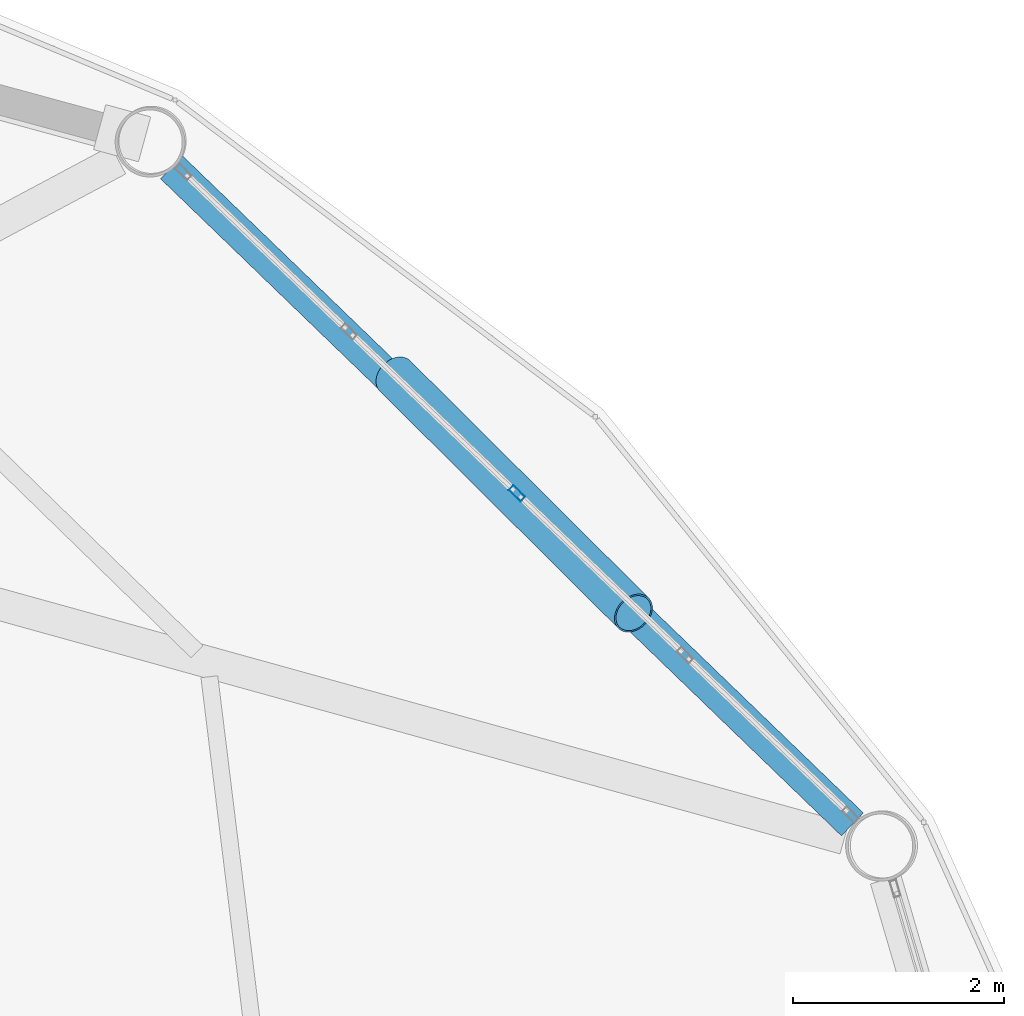
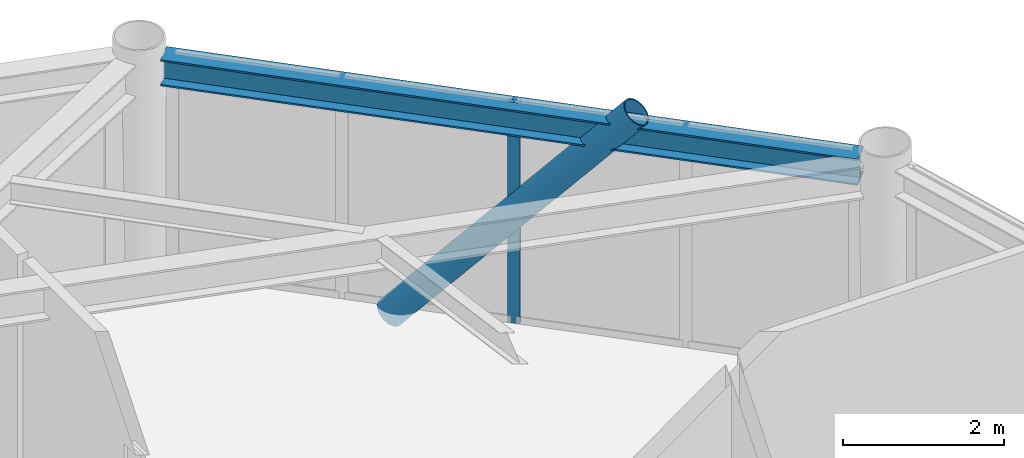
# One storey, part 16 of 26: 2 members, 1 beam, 1 element without a shape of its own.
"""IFC4 building model written with IfcOpenShell, lengths in metres."""

from ifc_helpers import new_model, si_unit, direction, frame, origin, origin_2d, place, context, subcontext, project, spatial, hollow_rectangle, hollow_circle, i_section, extrude, material, layer, layer_set, material_profile, profile_set, type_object, element, aggregate, save


model = new_model("IFC4")

# Units and contexts
model_context = context("Model", 3, precision=1e-05, world=origin(), true_north=direction((0.0, 1.0)))
body_context = subcontext(model_context, "Body", "Model", "MODEL_VIEW")
ifc_project = project(units=[si_unit("LENGTHUNIT", "METRE"), si_unit("AREAUNIT", "SQUARE_METRE"), si_unit("VOLUMEUNIT", "CUBIC_METRE"), si_unit("PLANEANGLEUNIT", "RADIAN"), si_unit("MASSUNIT", "GRAM", prefix="KILO")], contexts=[model_context])

# Site, building, storey
site_placement = place(None, origin())
site = spatial("IfcSite", under=ifc_project, at=site_placement, CompositionType="ELEMENT")
building_placement = place(site_placement, origin())
building = spatial("IfcBuilding", under=site, at=building_placement, Name="Varnakorn Sky Granary", CompositionType="ELEMENT")
storey_placement = place(building_placement, frame((0.0, 0.0, 218.39990234375)))
storey = spatial("IfcBuildingStorey", under=building, at=storey_placement, Name="L55", CompositionType="ELEMENT", Elevation=218.39990234375)

# Beam
ifc_material_1 = material(Name="Steel S355JR", Category="steel")
ifc_material_profile_1 = material_profile(ifc_material_1, i_section(OverallWidth=0.300048828125, OverallDepth=0.39990234375, WebThickness=0.013427734375, FlangeThickness=0.02392578125, at=origin_2d()), Name="HE 400 B")
ifc_profile_set_1 = profile_set([ifc_material_profile_1], Name="Steel S355JR")
beam_type = type_object("IfcBeamType", Name="BM-SPD-Z4", PredefinedType="SPANDREL", material=ifc_profile_set_1)
beam_placement = place(storey_placement, frame((20.93408203125, 9.30615234375, 3.16015625), z_axis=(-0.719583331442, 0.694406098124, 0.0), x_axis=(-0.694406098124, -0.719583331442, 0.0)))
element("IfcBeam", 1, at=beam_placement, inside=storey, type_object=beam_type, Name="Perimeter Spandrel Ring Beam RB02 L55", PredefinedType="SPANDREL", context=body_context, shape_type="SweptSolid", body=[
    extrude(i_section(OverallWidth=0.300048828125, OverallDepth=0.39990234375, WebThickness=0.013427734375, FlangeThickness=0.02392578125, at=origin_2d()), origin(), (0.0, 0.0, 1.0), 8.9501953125),
])

# Curtain wall, member
ifc_material_2 = material(Name="Anodised Bronze Aluminium Alloy 6063-T6", Category="aluminium")
ifc_layer = layer(ifc_material_2, 0.169921875, Name="Anodised Bronze Aluminium Alloy 6063-T6")
ifc_layer_set = layer_set([ifc_layer], Name="Anodised Bronze Aluminium Alloy 6063-T6")
curtain_wall_type = type_object("IfcCurtainWallType", Name="CW-LAB-1", PredefinedType="USERDEFINED", material=ifc_layer_set)
curtain_wall_placement = place(storey_placement, origin())
curtain_wall = element("IfcCurtainWall", 2, at=curtain_wall_placement, inside=storey, type_object=curtain_wall_type, Name="Unitised Curtain Wall CW5 CW-L55-B02", ObjectType="CURTAIN WALL", PredefinedType="USERDEFINED")
ifc_material_profile_2 = material_profile(ifc_material_2, hollow_rectangle(XDim=0.06494140625, YDim=0.159912109375, WallThickness=0.00341796875, at=origin_2d()), Name="ALU MULL 65x160")
ifc_profile_set_2 = profile_set([ifc_material_profile_2], Name="Anodised Bronze Aluminium Alloy 6063-T6")
member_type_1 = type_object("IfcMemberType", Name="CW-LAB-1-MULL", PredefinedType="MULLION", material=ifc_profile_set_2)
member_1_placement = place(storey_placement, frame((17.76025390625, 12.43701171875, 0.0), z_axis=(0.0, 0.0, 1.0), x_axis=(0.693784930795, 0.72018224763, 0.0)))
member_1 = element("IfcMember", 3, at=member_1_placement, type_object=member_type_1, Name="CW5 mullion 3", PredefinedType="MULLION", context=body_context, shape_type="SweptSolid", body=[
    extrude(hollow_rectangle(XDim=0.06494140625, YDim=0.159912109375, WallThickness=0.00341796875, at=origin_2d()), origin(), (0.0, 0.0, 1.0), 3.360107421875),
])
aggregate(curtain_wall, [member_1])

# Member
ifc_material_3 = material(Name="Steel S460M", Category="steel")
ifc_material_profile_3 = material_profile(ifc_material_3, hollow_circle(Radius=0.203125, WallThickness=0.01611328125, at=origin_2d()), Name="CHS 406.4x16")
ifc_profile_set_3 = profile_set([ifc_material_profile_3], Name="Steel S460M")
member_type_2 = type_object("IfcMemberType", Name="MB-DIAG-T4", PredefinedType="BRACE", material=ifc_profile_set_3)
member_2_placement = place(storey_placement, frame((16.607177734375, 13.5478515625, -0.1298828125), z_axis=(0.468075039278, -0.465440565629, 0.751179630629), x_axis=(0.705108447877, 0.709099482958, 0.0)))
element("IfcMember", 4, at=member_2_placement, inside=storey, type_object=member_type_2, Name="Perimeter CHS Diagrid Brace DG02 L55", PredefinedType="BRACE", context=body_context, shape_type="SweptSolid", body=[
    extrude(hollow_circle(Radius=0.203125, WallThickness=0.01611328125, at=origin_2d()), origin(), (0.0, 0.0, 1.0), 4.81884765625),
])

save(model, "model.ifc")
